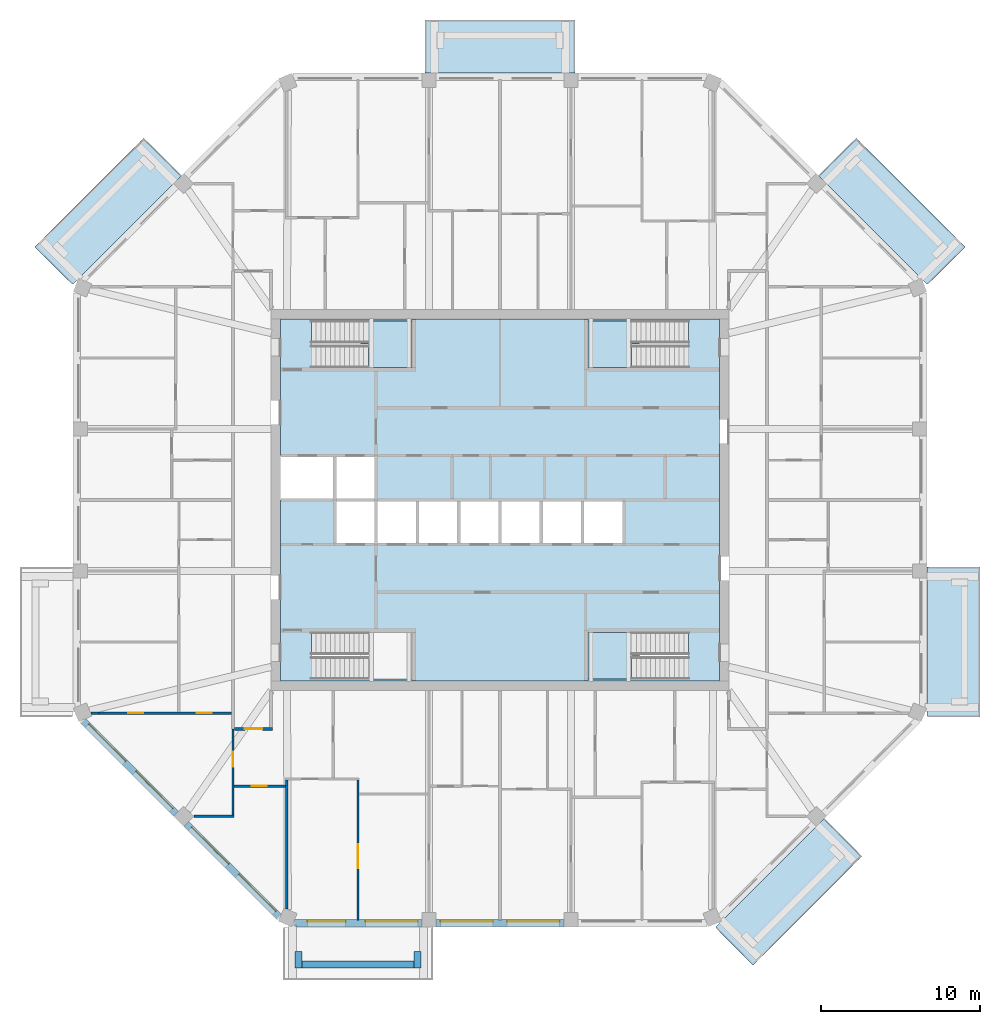
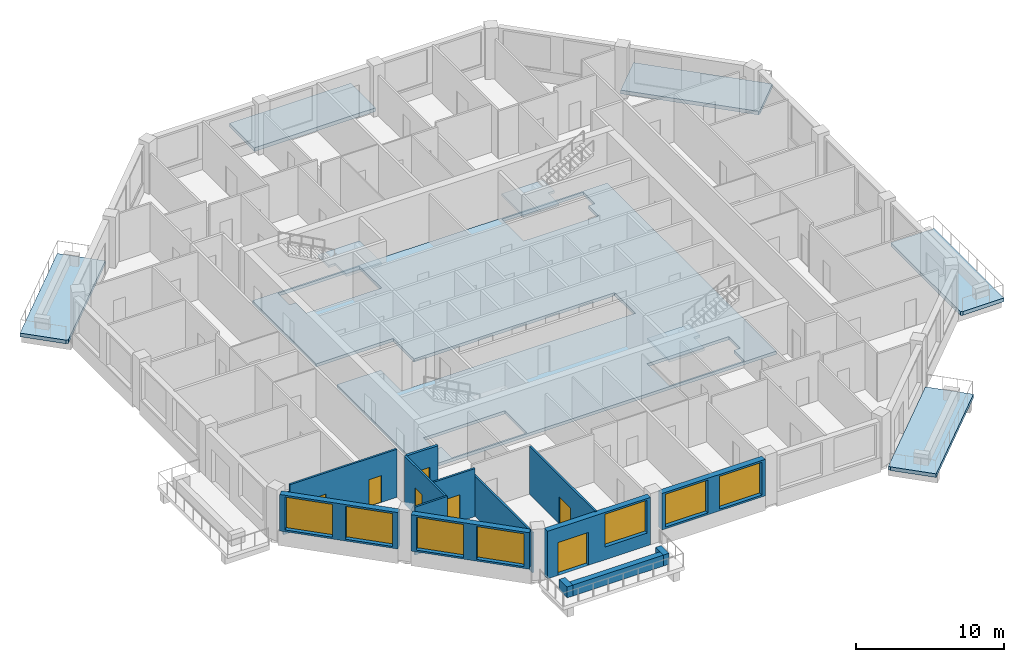
# One storey, part 2 of 11: 15 walls, 9 slabs, 7 doors, 7 windows, 14 openings, 3 elements without a shape of their own.
"""IFC4 building model written with IfcOpenShell, lengths in metres."""

from ifc_helpers import new_model, si_unit, direction, frame, frame_2d, origin, place, context, subcontext, project, spatial, polyline, rectangle, outline, extrude, material, layer, layer_set, type_object, element, fill, aggregate, save


model = new_model("IFC4")

# Units and contexts
model_context = context("Model", 3, precision=1e-05, world=origin(), true_north=direction((0.0, 1.0)))
body_context = subcontext(model_context, "Body", "Model", "MODEL_VIEW")
ifc_project = project(units=[si_unit("LENGTHUNIT", "METRE"), si_unit("AREAUNIT", "SQUARE_METRE"), si_unit("VOLUMEUNIT", "CUBIC_METRE"), si_unit("PLANEANGLEUNIT", "RADIAN"), si_unit("MASSUNIT", "GRAM", prefix="KILO")], contexts=[model_context])

# Site, building, storey
site_placement = place(None, origin())
site = spatial("IfcSite", under=ifc_project, at=site_placement, CompositionType="ELEMENT")
building_placement = place(site_placement, origin())
building = spatial("IfcBuilding", under=site, at=building_placement, Name="Msitu Wima Residences", CompositionType="ELEMENT")
storey_placement = place(building_placement, frame((0.0, 0.0, 226.5)))
storey = spatial("IfcBuildingStorey", under=building, at=storey_placement, Name="L52", CompositionType="ELEMENT", Elevation=226.5)

# Slabs
ifc_material_1 = material(Name="Concrete C40/50", Category="concrete")
ifc_layer_1 = layer(ifc_material_1, 0.300048828125)
ifc_layer_set_1 = layer_set([ifc_layer_1], Name="Concrete C40/50")
slab_type_1 = type_object("IfcSlabType", Name="Balcony slab BS300", PredefinedType="FLOOR", material=ifc_layer_set_1)
slab_1_placement = place(storey_placement, frame((0.0, 0.0, -0.300048828125)))
element("IfcSlab", 1, at=slab_1_placement, inside=storey, type_object=slab_type_1, Name="Balcony E0 L52", PredefinedType="FLOOR", context=body_context, shape_type="SweptSolid", body=[
    extrude(outline(polyline([(26.85009765625, -13.105224609375), (26.85009765625, -13.105224609375), (26.85009765625, -4.918701171875), (26.85009765625, -4.21875), (30.199951171875, -4.21875), (30.199951171875, -13.656005859375), (27.003662109375, -13.656005859375), (26.85009765625, -13.59228515625), (26.85009765625, -13.105224609375), (26.85009765625, -13.105224609375)])), origin(), (0.0, 0.0, 1.0), 0.300048828125),
])
slab_2_placement = place(storey_placement, frame((0.0, 0.0, -0.300048828125)))
element("IfcSlab", 2, at=slab_2_placement, inside=storey, type_object=slab_type_1, Name="Balcony NE0 L52", PredefinedType="FLOOR", context=body_context, shape_type="SweptSolid", body=[
    extrude(outline(polyline([(26.505615234375, 13.936767578125), (26.505615234375, 13.936767578125), (20.04443359375, 20.39794921875), (22.4130859375, 22.766845703125), (29.263671875, 15.916015625), (27.003662109375, 13.656005859375), (26.85009765625, 13.59228515625), (26.505615234375, 13.936767578125), (26.505615234375, 13.936767578125)])), origin(), (0.0, 0.0, 1.0), 0.300048828125),
])
slab_3_placement = place(storey_placement, frame((0.0, 0.0, -0.300048828125)))
element("IfcSlab", 3, at=slab_3_placement, inside=storey, type_object=slab_type_1, Name="Balcony N1 L52", PredefinedType="FLOOR", context=body_context, shape_type="SweptSolid", body=[
    extrude(outline(polyline([(4.0185546875, 26.85009765625), (-4.0185546875, 26.85009765625), (-4.71875, 26.85009765625), (-4.71875, 30.199951171875), (4.71875, 30.199951171875), (4.71875, 26.85009765625), (4.0185546875, 26.85009765625)])), origin(), (0.0, 0.0, 1.0), 0.300048828125),
])
slab_4_placement = place(storey_placement, frame((0.0, 0.0, -0.300048828125)))
element("IfcSlab", 4, at=slab_4_placement, inside=storey, type_object=slab_type_1, Name="Balcony NW1 L52", PredefinedType="FLOOR", context=body_context, shape_type="SweptSolid", body=[
    extrude(outline(polyline([(-26.505615234375, 13.936767578125), (-26.505615234375, 13.936767578125), (-26.85009765625, 13.59228515625), (-27.003662109375, 13.656005859375), (-29.263671875, 15.916015625), (-22.4130859375, 22.766845703125), (-20.04443359375, 20.39794921875), (-26.505615234375, 13.936767578125), (-26.505615234375, 13.936767578125)])), origin(), (0.0, 0.0, 1.0), 0.300048828125),
])
slab_5_placement = place(storey_placement, frame((0.0, 0.0, -0.300048828125)))
element("IfcSlab", 5, at=slab_5_placement, inside=storey, type_object=slab_type_1, Name="Balcony SE0 L52", PredefinedType="FLOOR", context=body_context, shape_type="SweptSolid", body=[
    extrude(outline(polyline([(13.936767578125, -26.505615234375), (13.936767578125, -26.505615234375), (20.39794921875, -20.04443359375), (22.766845703125, -22.4130859375), (15.916015625, -29.263671875), (13.656005859375, -27.003662109375), (13.59228515625, -26.85009765625), (13.936767578125, -26.505615234375), (13.936767578125, -26.505615234375)])), origin(), (0.0, 0.0, 1.0), 0.300048828125),
])
ifc_layer_2 = layer(ifc_material_1, 0.25)
ifc_layer_set_2 = layer_set([ifc_layer_2], Name="Concrete C40/50")
slab_type_2 = type_object("IfcSlabType", Name="Core floor CF250", PredefinedType="FLOOR", material=ifc_layer_set_2)
slab_6_placement = place(storey_placement, frame((0.0, 0.0, -0.25)))
element("IfcSlab", 6, at=slab_6_placement, inside=storey, type_object=slab_type_2, Name="Core floor", PredefinedType="FLOOR", context=body_context, shape_type="SweptSolid", body=[
    extrude(outline(polyline([(-13.800048828125, 11.39990234375), (-13.800048828125, 2.800048828125), (-10.39990234375, 2.800048828125), (-7.800048828125, 2.800048828125), (-7.800048828125, 0.0), (-5.199951171875, 0.0), (-2.60009765625, 0.0), (0.0, 0.0), (2.60009765625, 0.0), (5.199951171875, 0.0), (7.800048828125, 0.0), (7.800048828125, -2.800048828125), (5.199951171875, -2.800048828125), (2.60009765625, -2.800048828125), (0.0, -2.800048828125), (-2.60009765625, -2.800048828125), (-5.199951171875, -2.800048828125), (-7.800048828125, -2.800048828125), (-10.39990234375, -2.800048828125), (-10.39990234375, 0.0), (-13.800048828125, 0.0), (-13.800048828125, -11.39990234375), (13.800048828125, -11.39990234375), (13.800048828125, 11.39990234375), (-13.800048828125, 11.39990234375)]), holes=[polyline([(-11.375, -11.27490234375), (-11.375, -9.875), (-11.87451171875, -9.875), (-11.87451171875, -8.324951171875), (-5.52490234375, -8.324951171875), (-5.52490234375, -11.27490234375), (-11.375, -11.27490234375)]), polyline([(-11.375, 8.324951171875), (-11.375, 9.72509765625), (-11.87451171875, 9.72509765625), (-11.87451171875, 11.27490234375), (-5.52490234375, 11.27490234375), (-5.52490234375, 8.324951171875), (-11.375, 8.324951171875)]), polyline([(11.375, -9.875), (11.375, -11.27490234375), (5.52490234375, -11.27490234375), (5.52490234375, -8.324951171875), (11.87451171875, -8.324951171875), (11.87451171875, -9.875), (11.375, -9.875)]), polyline([(11.375, 9.72509765625), (11.375, 8.324951171875), (5.52490234375, 8.324951171875), (5.52490234375, 11.27490234375), (11.87451171875, 11.27490234375), (11.87451171875, 9.72509765625), (11.375, 9.72509765625)])]), origin(), (0.0, 0.0, 1.0), 0.25),
])

# Stair, slab
stair_type = type_object("IfcStairType", Name="Exit stair ES1615-140", PredefinedType="HALF_TURN_STAIR", material=ifc_material_1)
stair_1_placement = place(storey_placement, origin())
stair_1 = element("IfcStair", 7, at=stair_1_placement, inside=storey, type_object=stair_type, Name="Exit stair 1", PredefinedType="HALF_TURN_STAIR")
ifc_layer_3 = layer(ifc_material_1, 0.199951171875)
ifc_layer_set_3 = layer_set([ifc_layer_3], Name="Concrete C40/50")
slab_type_3 = type_object("IfcSlabType", Name="Stair landing SL200", PredefinedType="LANDING", material=ifc_layer_set_3)
slab_7_placement = place(storey_placement, frame((0.0, 0.0, 1.89990234375)))
slab_7 = element("IfcSlab", 8, at=slab_7_placement, type_object=slab_type_3, Name="S1 landing 1", PredefinedType="LANDING", context=body_context, shape_type="SweptSolid", body=[
    extrude(outline(polyline([(-5.52490234375, 8.324951171875), (-8.275390625, 8.324951171875), (-8.275390625, 9.800048828125), (-8.77490234375, 9.800048828125), (-8.77490234375, 11.27490234375), (-5.52490234375, 11.27490234375), (-5.52490234375, 8.324951171875)])), origin(), (0.0, 0.0, 1.0), 0.2001953125),
])
aggregate(stair_1, [slab_7])

stair_2_placement = place(storey_placement, origin())
stair_2 = element("IfcStair", 9, at=stair_2_placement, inside=storey, type_object=stair_type, Name="Exit stair 3", PredefinedType="HALF_TURN_STAIR")
slab_8_placement = place(storey_placement, frame((0.0, 0.0, 1.89990234375)))
slab_8 = element("IfcSlab", 10, at=slab_8_placement, type_object=slab_type_3, Name="S3 landing 1", PredefinedType="LANDING", context=body_context, shape_type="SweptSolid", body=[
    extrude(outline(polyline([(5.52490234375, 8.324951171875), (8.275390625, 8.324951171875), (8.275390625, 9.800048828125), (8.77490234375, 9.800048828125), (8.77490234375, 11.27490234375), (5.52490234375, 11.27490234375), (5.52490234375, 8.324951171875)])), origin(), (0.0, 0.0, 1.0), 0.2001953125),
])
aggregate(stair_2, [slab_8])

stair_3_placement = place(storey_placement, origin())
stair_3 = element("IfcStair", 11, at=stair_3_placement, inside=storey, type_object=stair_type, Name="Exit stair 4", PredefinedType="HALF_TURN_STAIR")
slab_9_placement = place(storey_placement, frame((0.0, 0.0, 1.89990234375)))
slab_9 = element("IfcSlab", 12, at=slab_9_placement, type_object=slab_type_3, Name="S4 landing 1", PredefinedType="LANDING", context=body_context, shape_type="SweptSolid", body=[
    extrude(outline(polyline([(5.52490234375, -11.27490234375), (8.275390625, -11.27490234375), (8.275390625, -9.800048828125), (8.77490234375, -9.800048828125), (8.77490234375, -8.324951171875), (5.52490234375, -8.324951171875), (5.52490234375, -11.27490234375)])), origin(), (0.0, 0.0, 1.0), 0.2001953125),
])
aggregate(stair_3, [slab_9])

# Walls
ifc_material_2 = material(Name="Facing brick")
ifc_layer_4 = layer(ifc_material_2, 0.06494140625, Name="Facing brick")
ifc_layer_5 = layer(ifc_material_1, 0.156005859375, Name="Concrete C40/50")
ifc_material_3 = material(Name="Waterproofing membrane")
ifc_layer_6 = layer(ifc_material_3, 0.00390625, Name="Waterproofing membrane")
ifc_material_4 = material(Name="Planting soil and planting")
ifc_layer_7 = layer(ifc_material_4, 0.22509765625, Name="Planting soil and planting")
ifc_layer_set_4 = layer_set([ifc_layer_4, ifc_layer_5, ifc_layer_6, ifc_layer_7], Name="Concrete C40/50")
wall_type_1 = type_object("IfcWallType", Name="Balcony planter PLANTER PL450", PredefinedType="USERDEFINED", material=ifc_layer_set_4)
wall_1_placement = place(storey_placement, frame((-12.455810546875, -29.22509765625, 0.0), z_axis=(0.0, 0.0, 1.0), x_axis=(1.0, 0.0, 0.0)))
element("IfcWall", 13, at=wall_1_placement, inside=storey, type_object=wall_type_1, Name="Balcony planter S0 L52", ObjectType="PLANTER", PredefinedType="USERDEFINED", context=body_context, shape_type="SweptSolid", body=[
    extrude(rectangle(XDim=7.037109375, YDim=0.449951171875, at=frame_2d((3.5185546875, 0.0))), origin(), (0.0, 0.0, 1.0), 0.89990234375),
])
for number, where, z_axis, x_axis, name in (
    (14, (-12.680908203125, -28.39990234375, 0.0), (0.0, 0.0, 1.0), (0.0, -1.0, 0.0), "Balcony planter S0 L52"),
    (15, (-5.193603515625, -28.39990234375, 0.0), (0.0, 0.0, 1.0), (0.0, -1.0, 0.0), "Balcony planter S0 L52"),
):
    element("IfcWall", number, at=place(storey_placement, frame(where, z_axis=z_axis, x_axis=x_axis)), inside=storey, type_object=wall_type_1, Name=name, ObjectType="PLANTER", PredefinedType="USERDEFINED", context=body_context, shape_type="SweptSolid", body=[
        extrude(rectangle(XDim=1.050048828125, YDim=0.449951171875, at=frame_2d((0.52490234375, 0.0))), origin(), (0.0, 0.0, 1.0), 0.89990234375),
    ])

# Wall, openings, windows
ifc_material_5 = material(Name="Brick (red buff mix)", Category="masonry")
ifc_layer_8 = layer(ifc_material_5, 0.449951171875)
ifc_layer_set_5 = layer_set([ifc_layer_8], Name="Brick (red buff mix)")
wall_type_2 = type_object("IfcWallType", Name="Brick infill wall BW450", PredefinedType="SOLIDWALL", material=ifc_layer_set_5)
wall_2_placement = place(storey_placement, frame((-26.214599609375, -13.909423828125, 0.89990234375), z_axis=(0.0, 0.0, 1.0), x_axis=(0.707106781187, -0.707106781187, 0.0)))
wall_2 = element("IfcWall", 16, at=wall_2_placement, inside=storey, type_object=wall_type_2, Name="Brick infill wall L52 SW0", PredefinedType="SOLIDWALL", context=body_context, shape_type="SweptSolid", body=[
    extrude(rectangle(XDim=8.251220703125, YDim=0.449951171875, at=frame_2d((4.12548828125, 0.0))), origin(), (0.0, 0.0, 1.0), 3.0),
])
opening_1_placement = place(wall_2_placement, frame((0.37548828125, 0.0, 0.14990234375)))
opening_1 = element("IfcOpeningElement", 17, at=opening_1_placement, cuts=wall_2, Name="Opening W52-54.025", PredefinedType="OPENING", context=body_context, shape_type="SweptSolid", body=[
    extrude(rectangle(XDim=3.300048828125, YDim=2.699951171875, at=frame_2d((1.64990234375, 1.35009765625))), frame((0.0, 0.23486328125, 0.0), z_axis=(0.0, -1.0, 0.0), x_axis=(1.0, 0.0, 0.0)), (0.0, 0.0, 1.0), 0.469970703125),
])
opening_2_placement = place(wall_2_placement, frame((4.57568359375, 0.0, 0.14990234375)))
opening_2 = element("IfcOpeningElement", 18, at=opening_2_placement, cuts=wall_2, Name="Opening W52-54.026", PredefinedType="OPENING", context=body_context, shape_type="SweptSolid", body=[
    extrude(rectangle(XDim=3.300048828125, YDim=2.699951171875, at=frame_2d((1.64990234375, 1.35009765625))), frame((0.0, 0.23486328125, 0.0), z_axis=(0.0, -1.0, 0.0), x_axis=(1.0, 0.0, 0.0)), (0.0, 0.0, 1.0), 0.469970703125),
])
ifc_material_6 = material(Name="Anodised aluminium, bronze finish, clear low-emissivity double glazing", Category="aluminium")
window_type = type_object("IfcWindowType", Name="Window W3300x2700", PartitioningType="DOUBLE_PANEL_VERTICAL", PredefinedType="WINDOW", material=ifc_material_6)
window_1_placement = place(opening_1_placement, origin())
window_1 = element("IfcWindow", 19, at=window_1_placement, inside=storey, type_object=window_type, Name="Window L52 SW0.1", OverallHeight=2.699951171875, OverallWidth=3.300048828125, PartitioningType="SINGLE_PANEL", PredefinedType="WINDOW", context=body_context, shape_type="SweptSolid", body=[
    extrude(rectangle(XDim=3.300048828125, YDim=2.699951171875, at=frame_2d((1.64990234375, 1.35009765625))), frame((0.0, 0.135009765625, 0.0), z_axis=(0.0, -1.0, 0.0), x_axis=(1.0, 0.0, 0.0)), (0.0, 0.0, 1.0), 0.06005859375),
])
fill(opening_1, window_1)
window_2_placement = place(opening_2_placement, origin())
window_2 = element("IfcWindow", 20, at=window_2_placement, inside=storey, type_object=window_type, Name="Window L52 SW0.2", OverallHeight=2.699951171875, OverallWidth=3.300048828125, PartitioningType="SINGLE_PANEL", PredefinedType="WINDOW", context=body_context, shape_type="SweptSolid", body=[
    extrude(rectangle(XDim=3.300048828125, YDim=2.699951171875, at=frame_2d((1.64990234375, 1.35009765625))), frame((0.0, 0.135009765625, 0.0), z_axis=(0.0, -1.0, 0.0), x_axis=(1.0, 0.0, 0.0)), (0.0, 0.0, 1.0), 0.06005859375),
])
fill(opening_2, window_2)

wall_3_placement = place(storey_placement, frame((-19.743896484375, -20.380126953125, 0.89990234375), z_axis=(0.0, 0.0, 1.0), x_axis=(0.707106781187, -0.707106781187, 0.0)))
wall_3 = element("IfcWall", 21, at=wall_3_placement, inside=storey, type_object=wall_type_2, Name="Brick infill wall L52 SW1", PredefinedType="SOLIDWALL", context=body_context, shape_type="SweptSolid", body=[
    extrude(rectangle(XDim=8.251220703125, YDim=0.449951171875, at=frame_2d((4.12548828125, 0.0))), origin(), (0.0, 0.0, 1.0), 3.0),
])
opening_3_placement = place(wall_3_placement, frame((0.37548828125, 0.0, 0.14990234375)))
opening_3 = element("IfcOpeningElement", 22, at=opening_3_placement, cuts=wall_3, Name="Opening W52-54.027", PredefinedType="OPENING", context=body_context, shape_type="SweptSolid", body=[
    extrude(rectangle(XDim=3.300048828125, YDim=2.699951171875, at=frame_2d((1.64990234375, 1.35009765625))), frame((0.0, 0.23486328125, 0.0), z_axis=(0.0, -1.0, 0.0), x_axis=(1.0, 0.0, 0.0)), (0.0, 0.0, 1.0), 0.469970703125),
])
opening_4_placement = place(wall_3_placement, frame((4.57568359375, 0.0, 0.14990234375)))
opening_4 = element("IfcOpeningElement", 23, at=opening_4_placement, cuts=wall_3, Name="Opening W52-54.028", PredefinedType="OPENING", context=body_context, shape_type="SweptSolid", body=[
    extrude(rectangle(XDim=3.300048828125, YDim=2.699951171875, at=frame_2d((1.64990234375, 1.35009765625))), frame((0.0, 0.23486328125, 0.0), z_axis=(0.0, -1.0, 0.0), x_axis=(1.0, 0.0, 0.0)), (0.0, 0.0, 1.0), 0.469970703125),
])
window_3_placement = place(opening_3_placement, origin())
window_3 = element("IfcWindow", 24, at=window_3_placement, inside=storey, type_object=window_type, Name="Window L52 SW1.1", OverallHeight=2.699951171875, OverallWidth=3.300048828125, PartitioningType="SINGLE_PANEL", PredefinedType="WINDOW", context=body_context, shape_type="SweptSolid", body=[
    extrude(rectangle(XDim=3.300048828125, YDim=2.699951171875, at=frame_2d((1.64990234375, 1.35009765625))), frame((0.0, 0.135009765625, 0.0), z_axis=(0.0, -1.0, 0.0), x_axis=(1.0, 0.0, 0.0)), (0.0, 0.0, 1.0), 0.06005859375),
])
fill(opening_3, window_3)
window_4_placement = place(opening_4_placement, origin())
window_4 = element("IfcWindow", 25, at=window_4_placement, inside=storey, type_object=window_type, Name="Window L52 SW1.2", OverallHeight=2.699951171875, OverallWidth=3.300048828125, PartitioningType="SINGLE_PANEL", PredefinedType="WINDOW", context=body_context, shape_type="SweptSolid", body=[
    extrude(rectangle(XDim=3.300048828125, YDim=2.699951171875, at=frame_2d((1.64990234375, 1.35009765625))), frame((0.0, 0.135009765625, 0.0), z_axis=(0.0, -1.0, 0.0), x_axis=(1.0, 0.0, 0.0)), (0.0, 0.0, 1.0), 0.06005859375),
])
fill(opening_4, window_4)

# Wall, openings, door, window
wall_4_placement = place(storey_placement, frame((-12.918701171875, -26.625, 0.0), z_axis=(0.0, 0.0, 1.0), x_axis=(1.0, 0.0, 0.0)))
wall_4 = element("IfcWall", 26, at=wall_4_placement, inside=storey, type_object=wall_type_2, Name="Brick infill wall L52 S0", PredefinedType="SOLIDWALL", context=body_context, shape_type="SweptSolid", body=[
    extrude(rectangle(XDim=8.0, YDim=0.449951171875, at=frame_2d((4.0, 0.0))), origin(), (0.0, 0.0, 1.0), 3.89990234375),
])
opening_5_placement = place(wall_4_placement, frame((0.800048828125, 0.0, 0.0)))
opening_5 = element("IfcOpeningElement", 27, at=opening_5_placement, cuts=wall_4, Name="Opening D52-54.005", PredefinedType="OPENING", context=body_context, shape_type="SweptSolid", body=[
    extrude(rectangle(XDim=2.39990234375, YDim=2.699951171875, at=frame_2d((1.199951171875, 1.35009765625))), frame((0.0, 0.23486328125, 0.0), z_axis=(0.0, -1.0, 0.0), x_axis=(1.0, 0.0, 0.0)), (0.0, 0.0, 1.0), 0.469970703125),
])
opening_6_placement = place(wall_4_placement, frame((4.4501953125, 0.0, 1.050048828125)))
opening_6 = element("IfcOpeningElement", 28, at=opening_6_placement, cuts=wall_4, Name="Opening W52-54.017", PredefinedType="OPENING", context=body_context, shape_type="SweptSolid", body=[
    extrude(rectangle(XDim=3.300048828125, YDim=2.699951171875, at=frame_2d((1.64990234375, 1.35009765625))), frame((0.0, 0.23486328125, 0.0), z_axis=(0.0, -1.0, 0.0), x_axis=(1.0, 0.0, 0.0)), (0.0, 0.0, 1.0), 0.469970703125),
])
door_type_1 = type_object("IfcDoorType", Name="Balcony door D2400x2700", OperationType="SLIDING_TO_LEFT", PredefinedType="DOOR", material=ifc_material_6)
door_1_placement = place(opening_5_placement, origin())
door_1 = element("IfcDoor", 29, at=door_1_placement, inside=storey, type_object=door_type_1, Name="Balcony door L52 S0", OperationType="SINGLE_SWING_LEFT", OverallHeight=2.699951171875, OverallWidth=2.39990234375, PredefinedType="DOOR", context=body_context, shape_type="SweptSolid", body=[
    extrude(rectangle(XDim=2.39990234375, YDim=2.699951171875, at=frame_2d((1.199951171875, 1.35009765625))), frame((0.0, 0.1298828125, 0.0), z_axis=(0.0, -1.0, 0.0), x_axis=(1.0, 0.0, 0.0)), (0.0, 0.0, 1.0), 0.050048828125),
])
fill(opening_5, door_1)
window_5_placement = place(opening_6_placement, origin())
window_5 = element("IfcWindow", 30, at=window_5_placement, inside=storey, type_object=window_type, Name="Window L52 S0.2", OverallHeight=2.699951171875, OverallWidth=3.300048828125, PartitioningType="SINGLE_PANEL", PredefinedType="WINDOW", context=body_context, shape_type="SweptSolid", body=[
    extrude(rectangle(XDim=3.300048828125, YDim=2.699951171875, at=frame_2d((1.64990234375, 1.35009765625))), frame((0.0, 0.135009765625, 0.0), z_axis=(0.0, -1.0, 0.0), x_axis=(1.0, 0.0, 0.0)), (0.0, 0.0, 1.0), 0.06005859375),
])
fill(opening_6, window_5)

# Wall, openings, windows
wall_5_placement = place(storey_placement, frame((-4.0185546875, -26.625, 0.89990234375), z_axis=(0.0, 0.0, 1.0), x_axis=(1.0, 0.0, 0.0)))
wall_5 = element("IfcWall", 31, at=wall_5_placement, inside=storey, type_object=wall_type_2, Name="Brick infill wall L52 S1", PredefinedType="SOLIDWALL", context=body_context, shape_type="SweptSolid", body=[
    extrude(rectangle(XDim=8.037109375, YDim=0.449951171875, at=frame_2d((4.0185546875, 0.0))), origin(), (0.0, 0.0, 1.0), 3.0),
])
opening_7_placement = place(wall_5_placement, frame((0.2685546875, 0.0, 0.14990234375)))
opening_7 = element("IfcOpeningElement", 32, at=opening_7_placement, cuts=wall_5, Name="Opening W52-54.018", PredefinedType="OPENING", context=body_context, shape_type="SweptSolid", body=[
    extrude(rectangle(XDim=3.300048828125, YDim=2.699951171875, at=frame_2d((1.64990234375, 1.35009765625))), frame((0.0, 0.23486328125, 0.0), z_axis=(0.0, -1.0, 0.0), x_axis=(1.0, 0.0, 0.0)), (0.0, 0.0, 1.0), 0.469970703125),
])
opening_8_placement = place(wall_5_placement, frame((4.46875, 0.0, 0.14990234375)))
opening_8 = element("IfcOpeningElement", 33, at=opening_8_placement, cuts=wall_5, Name="Opening W52-54.019", PredefinedType="OPENING", context=body_context, shape_type="SweptSolid", body=[
    extrude(rectangle(XDim=3.300048828125, YDim=2.699951171875, at=frame_2d((1.64990234375, 1.35009765625))), frame((0.0, 0.23486328125, 0.0), z_axis=(0.0, -1.0, 0.0), x_axis=(1.0, 0.0, 0.0)), (0.0, 0.0, 1.0), 0.469970703125),
])
window_6_placement = place(opening_7_placement, origin())
window_6 = element("IfcWindow", 34, at=window_6_placement, inside=storey, type_object=window_type, Name="Window L52 S1.1", OverallHeight=2.699951171875, OverallWidth=3.300048828125, PartitioningType="SINGLE_PANEL", PredefinedType="WINDOW", context=body_context, shape_type="SweptSolid", body=[
    extrude(rectangle(XDim=3.300048828125, YDim=2.699951171875, at=frame_2d((1.64990234375, 1.35009765625))), frame((0.0, 0.135009765625, 0.0), z_axis=(0.0, -1.0, 0.0), x_axis=(1.0, 0.0, 0.0)), (0.0, 0.0, 1.0), 0.06005859375),
])
fill(opening_7, window_6)
window_7_placement = place(opening_8_placement, origin())
window_7 = element("IfcWindow", 35, at=window_7_placement, inside=storey, type_object=window_type, Name="Window L52 S1.2", OverallHeight=2.699951171875, OverallWidth=3.300048828125, PartitioningType="SINGLE_PANEL", PredefinedType="WINDOW", context=body_context, shape_type="SweptSolid", body=[
    extrude(rectangle(XDim=3.300048828125, YDim=2.699951171875, at=frame_2d((1.64990234375, 1.35009765625))), frame((0.0, 0.135009765625, 0.0), z_axis=(0.0, -1.0, 0.0), x_axis=(1.0, 0.0, 0.0)), (0.0, 0.0, 1.0), 0.06005859375),
])
fill(opening_8, window_7)

# Wall, opening, door
ifc_material_7 = material(Name="Plaster")
ifc_layer_9 = layer(ifc_material_7, 0.011962890625, Name="Plaster")
ifc_material_8 = material(Name="Concrete blockwork", Category="masonry")
ifc_layer_10 = layer(ifc_material_8, 0.176025390625, Name="Concrete blockwork")
ifc_layer_11 = layer(ifc_material_7, 0.011962890625, Name="Plaster")
ifc_layer_set_6 = layer_set([ifc_layer_9, ifc_layer_10, ifc_layer_11], Name="Concrete blockwork")
wall_type_3 = type_object("IfcWallType", Name="Corridor wall FW200", PredefinedType="PARTITIONING", material=ifc_layer_set_6)
wall_6_placement = place(storey_placement, frame((-16.699951171875, -14.39990234375, 0.0), z_axis=(0.0, 0.0, 1.0), x_axis=(1.0, 0.0, 0.0)))
wall_6 = element("IfcWall", 36, at=wall_6_placement, inside=storey, type_object=wall_type_3, Name="Corridor wall", PredefinedType="PARTITIONING", context=body_context, shape_type="SweptSolid", body=[
    extrude(rectangle(XDim=2.39990234375, YDim=0.199951171875, at=frame_2d((1.199951171875, 0.0))), origin(), (0.0, 0.0, 1.0), 3.949951171875),
])
opening_9_placement = place(wall_6_placement, frame((0.64990234375, 0.0, 0.0)))
opening_9 = element("IfcOpeningElement", 37, at=opening_9_placement, cuts=wall_6, Name="Opening D52-54.037", PredefinedType="OPENING", context=body_context, shape_type="SweptSolid", body=[
    extrude(rectangle(XDim=1.10009765625, YDim=2.39990234375, at=frame_2d((0.550048828125, 1.199951171875))), frame((0.0, 0.10986328125, 0.0), z_axis=(0.0, -1.0, 0.0), x_axis=(1.0, 0.0, 0.0)), (0.0, 0.0, 1.0), 0.219970703125),
])
ifc_material_9 = material(Name="Timber flush door, fire resisting, self-closing", Category="wood")
door_type_2 = type_object("IfcDoorType", Name="Flat entrance door D01 1100x2400", OperationType="SINGLE_SWING_LEFT", PredefinedType="DOOR", material=ifc_material_9)
door_2_placement = place(opening_9_placement, origin())
door_2 = element("IfcDoor", 38, at=door_2_placement, inside=storey, type_object=door_type_2, Name="Flat entrance door", OperationType="SINGLE_SWING_RIGHT", OverallHeight=2.39990234375, OverallWidth=1.10009765625, PredefinedType="DOOR", context=body_context, shape_type="SweptSolid", body=[
    extrude(rectangle(XDim=1.10009765625, YDim=2.39990234375, at=frame_2d((0.550048828125, 1.199951171875))), frame((0.0, 0.02490234375, 0.0), z_axis=(0.0, -1.0, 0.0), x_axis=(1.0, 0.0, 0.0)), (0.0, 0.0, 1.0), 0.050048828125),
])
fill(opening_9, door_2)

# Wall
ifc_layer_12 = layer(ifc_material_7, 0.011962890625, Name="Plaster")
ifc_layer_13 = layer(ifc_material_8, 0.1259765625, Name="Concrete blockwork")
ifc_layer_14 = layer(ifc_material_7, 0.011962890625, Name="Plaster")
ifc_layer_set_7 = layer_set([ifc_layer_12, ifc_layer_13, ifc_layer_14], Name="Concrete blockwork")
wall_type_4 = type_object("IfcWallType", Name="Partition PW150", PredefinedType="PARTITIONING", material=ifc_layer_set_7)
wall_7_placement = place(storey_placement, frame((-25.731201171875, -13.406005859375, 0.0), z_axis=(0.0, 0.0, 1.0), x_axis=(1.0, 0.0, 0.0)))
element("IfcWall", 39, at=wall_7_placement, inside=storey, type_object=wall_type_4, Name="Partition", PredefinedType="PARTITIONING", context=body_context, shape_type="SweptSolid", body=[
    extrude(rectangle(XDim=0.507080078125, YDim=0.14990234375, at=frame_2d((0.25341796875, 0.0))), origin(), (0.0, 0.0, 1.0), 3.35009765625),
])

# Wall, openings, doors
wall_8_placement = place(storey_placement, frame((-25.22412109375, -13.406005859375, 0.0), z_axis=(0.0, 0.0, 1.0), x_axis=(1.0, 0.0, 0.0)))
wall_8 = element("IfcWall", 40, at=wall_8_placement, inside=storey, type_object=wall_type_4, Name="Partition", PredefinedType="PARTITIONING", context=body_context, shape_type="SweptSolid", body=[
    extrude(rectangle(XDim=8.32421875, YDim=0.14990234375, at=frame_2d((4.162109375, 0.0))), origin(), (0.0, 0.0, 1.0), 3.949951171875),
])
opening_10_placement = place(wall_8_placement, frame((6.142822265625, 0.0, 0.0)))
opening_10 = element("IfcOpeningElement", 41, at=opening_10_placement, cuts=wall_8, Name="Opening D52-54.047", PredefinedType="OPENING", context=body_context, shape_type="SweptSolid", body=[
    extrude(rectangle(XDim=0.949951171875, YDim=2.199951171875, at=frame_2d((0.47509765625, 1.10009765625))), frame((0.0, 0.0849609375, 0.0), z_axis=(0.0, -1.0, 0.0), x_axis=(1.0, 0.0, 0.0)), (0.0, 0.0, 1.0), 0.169921875),
])
opening_11_placement = place(wall_8_placement, frame((1.8427734375, 0.0, 0.0)))
opening_11 = element("IfcOpeningElement", 42, at=opening_11_placement, cuts=wall_8, Name="Opening D52-54.050", PredefinedType="OPENING", context=body_context, shape_type="SweptSolid", body=[
    extrude(rectangle(XDim=0.949951171875, YDim=2.199951171875, at=frame_2d((0.47509765625, 1.10009765625))), frame((0.0, 0.0849609375, 0.0), z_axis=(0.0, -1.0, 0.0), x_axis=(1.0, 0.0, 0.0)), (0.0, 0.0, 1.0), 0.169921875),
])
ifc_material_10 = material(Name="Timber flush door", Category="wood")
door_type_3 = type_object("IfcDoorType", Name="Room door D12 950x2200", OperationType="SINGLE_SWING_LEFT", PredefinedType="DOOR", material=ifc_material_10)
door_3_placement = place(opening_10_placement, origin())
door_3 = element("IfcDoor", 43, at=door_3_placement, inside=storey, type_object=door_type_3, Name="Room door", OperationType="SINGLE_SWING_LEFT", OverallHeight=2.199951171875, OverallWidth=0.949951171875, PredefinedType="DOOR", context=body_context, shape_type="SweptSolid", body=[
    extrude(rectangle(XDim=0.949951171875, YDim=2.199951171875, at=frame_2d((0.47509765625, 1.10009765625))), frame((0.0, 0.02490234375, 0.0), z_axis=(0.0, -1.0, 0.0), x_axis=(1.0, 0.0, 0.0)), (0.0, 0.0, 1.0), 0.050048828125),
])
fill(opening_10, door_3)
door_4_placement = place(opening_11_placement, origin())
door_4 = element("IfcDoor", 44, at=door_4_placement, inside=storey, type_object=door_type_3, Name="Room door", OperationType="SINGLE_SWING_RIGHT", OverallHeight=2.199951171875, OverallWidth=0.949951171875, PredefinedType="DOOR", context=body_context, shape_type="SweptSolid", body=[
    extrude(rectangle(XDim=0.949951171875, YDim=2.199951171875, at=frame_2d((0.47509765625, 1.10009765625))), frame((0.0, 0.02490234375, 0.0), z_axis=(0.0, -1.0, 0.0), x_axis=(1.0, 0.0, 0.0)), (0.0, 0.0, 1.0), 0.050048828125),
])
fill(opening_11, door_4)

# Wall
wall_9_placement = place(storey_placement, frame((-19.2666015625, -19.90283203125, 0.0), z_axis=(0.0, 0.0, 1.0), x_axis=(1.0, 0.0, 0.0)))
element("IfcWall", 45, at=wall_9_placement, inside=storey, type_object=wall_type_4, Name="Partition", PredefinedType="PARTITIONING", context=body_context, shape_type="SweptSolid", body=[
    extrude(rectangle(XDim=2.54150390625, YDim=0.14990234375, at=frame_2d((1.270751953125, 0.0))), origin(), (0.0, 0.0, 1.0), 3.949951171875),
])

# Wall, opening, door
wall_10_placement = place(storey_placement, frame((-16.800048828125, -19.827880859375, 0.0), z_axis=(0.0, 0.0, 1.0), x_axis=(0.0, 1.0, 0.0)))
wall_10 = element("IfcWall", 46, at=wall_10_placement, inside=storey, type_object=wall_type_4, Name="Partition", PredefinedType="PARTITIONING", context=body_context, shape_type="SweptSolid", body=[
    extrude(rectangle(XDim=5.427978515625, YDim=0.14990234375, at=frame_2d((2.7138671875, 0.0))), origin(), (0.0, 0.0, 1.0), 3.949951171875),
])
opening_12_placement = place(wall_10_placement, frame((3.050048828125, 0.0, 0.0)))
opening_12 = element("IfcOpeningElement", 47, at=opening_12_placement, cuts=wall_10, Name="Opening D52-54.045", PredefinedType="OPENING", context=body_context, shape_type="SweptSolid", body=[
    extrude(rectangle(XDim=0.949951171875, YDim=2.199951171875, at=frame_2d((0.47509765625, 1.10009765625))), frame((0.0, 0.0849609375, 0.0), z_axis=(0.0, -1.0, 0.0), x_axis=(1.0, 0.0, 0.0)), (0.0, 0.0, 1.0), 0.169921875),
])
door_5_placement = place(opening_12_placement, origin())
door_5 = element("IfcDoor", 48, at=door_5_placement, inside=storey, type_object=door_type_3, Name="Room door", OperationType="SINGLE_SWING_RIGHT", OverallHeight=2.199951171875, OverallWidth=0.949951171875, PredefinedType="DOOR", context=body_context, shape_type="SweptSolid", body=[
    extrude(rectangle(XDim=0.949951171875, YDim=2.199951171875, at=frame_2d((0.47509765625, 1.10009765625))), frame((0.0, 0.02490234375, 0.0), z_axis=(0.0, -1.0, 0.0), x_axis=(1.0, 0.0, 0.0)), (0.0, 0.0, 1.0), 0.050048828125),
])
fill(opening_12, door_5)

wall_11_placement = place(storey_placement, frame((-16.72509765625, -18.0, 0.0), z_axis=(0.0, 0.0, 1.0), x_axis=(1.0, 0.0, 0.0)))
wall_11 = element("IfcWall", 49, at=wall_11_placement, inside=storey, type_object=wall_type_4, Name="Partition", PredefinedType="PARTITIONING", context=body_context, shape_type="SweptSolid", body=[
    extrude(rectangle(XDim=3.244140625, YDim=0.14990234375, at=frame_2d((1.6220703125, 0.0))), origin(), (0.0, 0.0, 1.0), 3.949951171875),
])
opening_13_placement = place(wall_11_placement, frame((1.10009765625, 0.0, 0.0)))
opening_13 = element("IfcOpeningElement", 50, at=opening_13_placement, cuts=wall_11, Name="Opening D52-54.044", PredefinedType="OPENING", context=body_context, shape_type="SweptSolid", body=[
    extrude(rectangle(XDim=0.949951171875, YDim=2.199951171875, at=frame_2d((0.47509765625, 1.10009765625))), frame((0.0, 0.0849609375, 0.0), z_axis=(0.0, -1.0, 0.0), x_axis=(1.0, 0.0, 0.0)), (0.0, 0.0, 1.0), 0.169921875),
])
door_6_placement = place(opening_13_placement, origin())
door_6 = element("IfcDoor", 51, at=door_6_placement, inside=storey, type_object=door_type_3, Name="Room door", OperationType="SINGLE_SWING_RIGHT", OverallHeight=2.199951171875, OverallWidth=0.949951171875, PredefinedType="DOOR", context=body_context, shape_type="SweptSolid", body=[
    extrude(rectangle(XDim=0.949951171875, YDim=2.199951171875, at=frame_2d((0.47509765625, 1.10009765625))), frame((0.0, 0.02490234375, 0.0), z_axis=(0.0, -1.0, 0.0), x_axis=(1.0, 0.0, 0.0)), (0.0, 0.0, 1.0), 0.050048828125),
])
fill(opening_13, door_6)

# Wall
wall_12_placement = place(storey_placement, frame((-13.406005859375, -25.731201171875, 0.0), z_axis=(0.0, 0.0, 1.0), x_axis=(0.0, 1.0, 0.0)))
element("IfcWall", 52, at=wall_12_placement, inside=storey, type_object=wall_type_4, Name="Partition", PredefinedType="PARTITIONING", context=body_context, shape_type="SweptSolid", body=[
    extrude(rectangle(XDim=8.106201171875, YDim=0.14990234375, at=frame_2d((4.05322265625, 0.0))), origin(), (0.0, 0.0, 1.0), 3.300048828125),
])

# Wall, opening, door
wall_13_placement = place(storey_placement, frame((-8.937255859375, -26.455078125, 0.0), z_axis=(0.0, 0.0, 1.0), x_axis=(0.0, 1.0, 0.0)))
wall_13 = element("IfcWall", 53, at=wall_13_placement, inside=storey, type_object=wall_type_4, Name="Partition", PredefinedType="PARTITIONING", context=body_context, shape_type="SweptSolid", body=[
    extrude(rectangle(XDim=8.830078125, YDim=0.14990234375, at=frame_2d((4.4150390625, 0.0))), origin(), (0.0, 0.0, 1.0), 3.949951171875),
])
opening_14_placement = place(wall_13_placement, frame((3.300048828125, 0.0, 0.0)))
opening_14 = element("IfcOpeningElement", 54, at=opening_14_placement, cuts=wall_13, Name="Opening D52-54.046", PredefinedType="OPENING", context=body_context, shape_type="SweptSolid", body=[
    extrude(rectangle(XDim=1.5, YDim=2.199951171875, at=frame_2d((0.75, 1.10009765625))), frame((0.0, 0.0849609375, 0.0), z_axis=(0.0, -1.0, 0.0), x_axis=(1.0, 0.0, 0.0)), (0.0, 0.0, 1.0), 0.169921875),
])
ifc_material_11 = material(Name="Timber double door", Category="wood")
door_type_4 = type_object("IfcDoorType", Name="Double door D04 1500x2200", OperationType="DOUBLE_DOOR_SINGLE_SWING", PredefinedType="DOOR", material=ifc_material_11)
door_7_placement = place(opening_14_placement, origin())
door_7 = element("IfcDoor", 55, at=door_7_placement, inside=storey, type_object=door_type_4, Name="Double door", OperationType="DOUBLE_DOOR_SINGLE_SWING", OverallHeight=2.199951171875, OverallWidth=1.5, PredefinedType="DOOR", context=body_context, shape_type="SweptSolid", body=[
    extrude(rectangle(XDim=1.5, YDim=2.199951171875, at=frame_2d((0.75, 1.10009765625))), frame((0.0, 0.02490234375, 0.0), z_axis=(0.0, -1.0, 0.0), x_axis=(1.0, 0.0, 0.0)), (0.0, 0.0, 1.0), 0.050048828125),
])
fill(opening_14, door_7)

save(model, "model.ifc")
